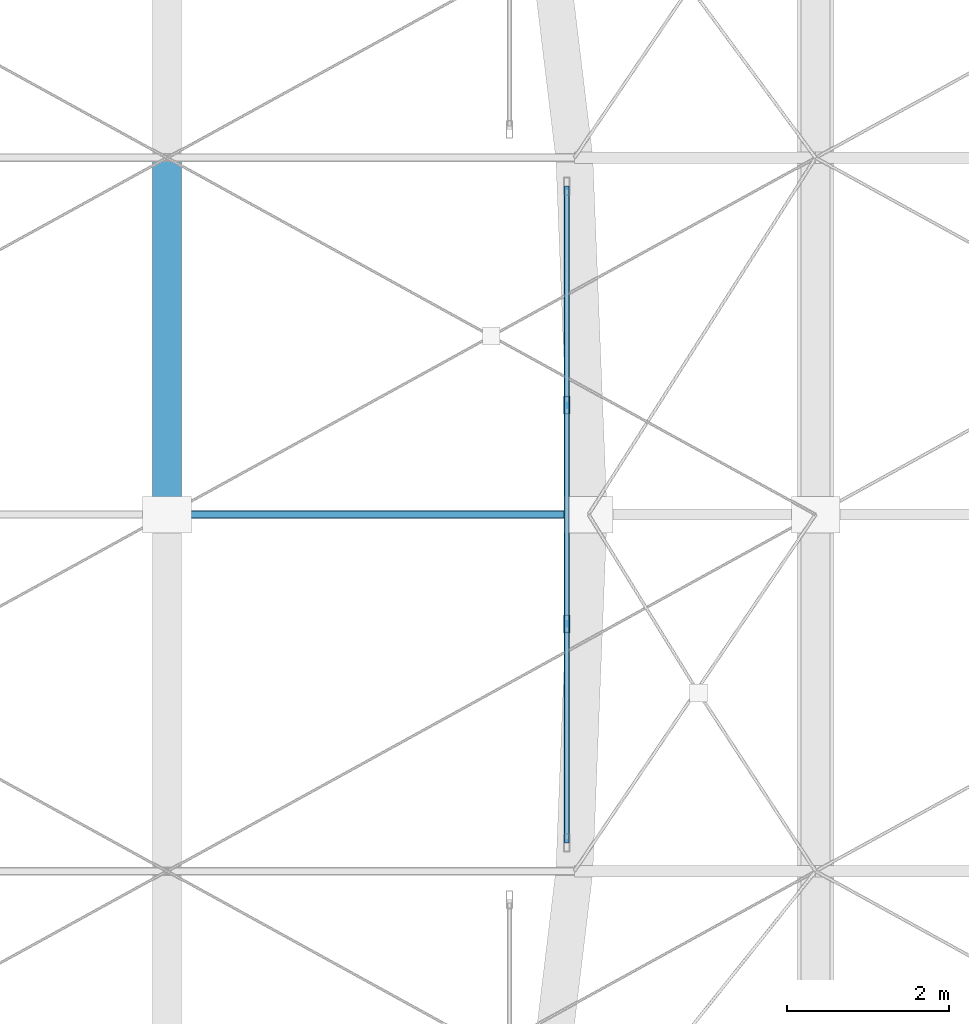
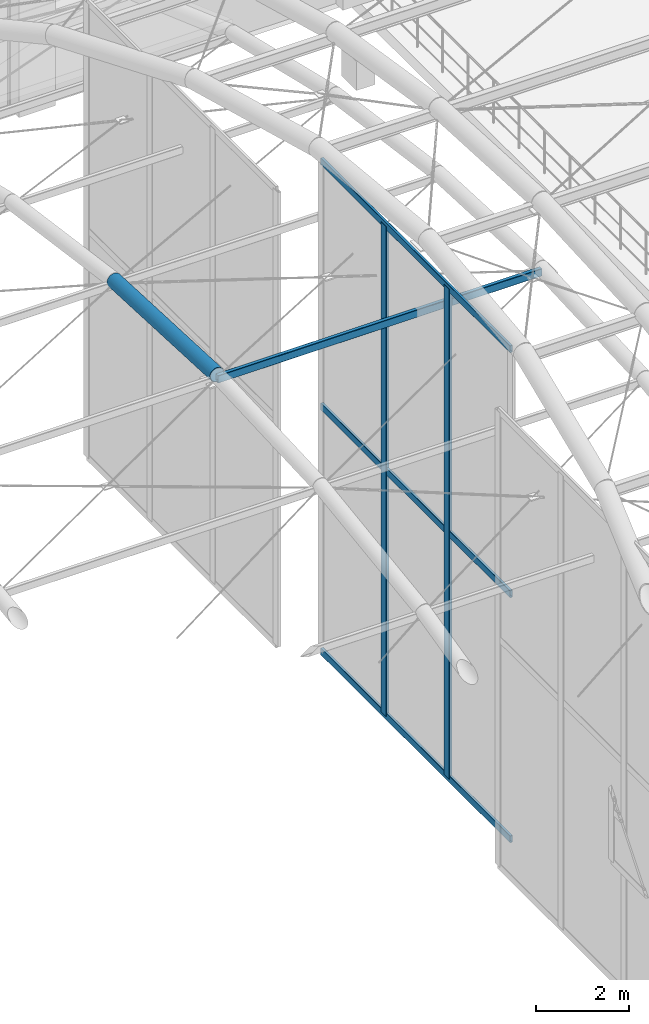
# One storey, part 26 of 163: 5 members, 2 beams, 1 element without a shape of its own.
"""IFC4 building model written with IfcOpenShell, lengths in metres."""

import ifcopenshell
import ifcopenshell.guid

model = None  # the IFC model being written
_history = None  # IfcOwnerHistory: only IFC2X3 demands one
_inside = {}  # id of a spatial element -> (the spatial element, [elements in it])
_under = {}  # id of a project, library or spatial element -> (it, [spatial elements below it])
_declared = {}  # id of a project -> (the project, [libraries it declares])
_typed = {}  # id of a type object -> (the type object, [elements of that type])
_made_of = {}  # id of a material, layer set ... -> (it, [elements and type objects made of it])


def new_model(schema):
    """Start an empty IFC model of exactly this schema.

    Asked for "IFC4X3", IfcOpenShell would pick the latest addendum, in which some entities
    have other attributes; the version numbers below select the first issue.
    IFC2X3 requires an IfcOwnerHistory on every rooted entity: one is made here for all.
    """
    global model, _history
    if schema == "IFC4X3":
        model = ifcopenshell.file(schema_version=(4, 3, 0, 0))
    else:
        model = ifcopenshell.file(schema=schema)
    _inside.clear()
    _under.clear()
    _declared.clear()
    _typed.clear()
    _made_of.clear()
    _history = None
    if model.schema == "IFC2X3":
        org = make("IfcOrganization", Name="unknown")
        user = make(
            "IfcPersonAndOrganization",
            ThePerson=make("IfcPerson", FamilyName="unknown"),
            TheOrganization=org,
        )
        app = make(
            "IfcApplication",
            ApplicationDeveloper=org,
            Version="unknown",
            ApplicationFullName="unknown",
            ApplicationIdentifier="unknown",
        )
        _history = make(
            "IfcOwnerHistory",
            OwningUser=user,
            OwningApplication=app,
            ChangeAction="ADDED",
            CreationDate=0,
        )
    return model


def make(cls, **values):
    """One entity of the class cls with the attributes given. An attribute that is None is left unset."""
    return model.create_entity(
        cls, **{name: value for name, value in values.items() if value is not None}
    )


def rooted(cls, **values):
    """An entity with a GlobalId (a new one), such as an element, a storey or a relation."""
    return make(cls, GlobalId=ifcopenshell.guid.new(), OwnerHistory=_history, **values)


def si_unit(unit_type, name, prefix=None):
    """IfcSIUnit, for example si_unit("LENGTHUNIT", "METRE", prefix="MILLI")."""
    return make("IfcSIUnit", UnitType=unit_type, Prefix=prefix, Name=name)


def assignment(units):
    """IfcUnitAssignment: the units of a project."""
    return None if units is None else make("IfcUnitAssignment", Units=units)


def point(xyz):
    """IfcCartesianPoint."""
    return None if xyz is None else make("IfcCartesianPoint", Coordinates=xyz)


def direction(xyz):
    """IfcDirection."""
    return None if xyz is None else make("IfcDirection", DirectionRatios=xyz)


def frame(location, z_axis=None, x_axis=None):
    """IfcAxis2Placement3D, a coordinate frame: its origin and axes. An axis left out is left unset."""
    return make(
        "IfcAxis2Placement3D",
        Location=point(location),
        Axis=direction(z_axis),
        RefDirection=direction(x_axis),
    )


def frame_2d(location, x_axis=None):
    """IfcAxis2Placement2D, a coordinate frame in the plane: its origin and x axis."""
    return make(
        "IfcAxis2Placement2D", Location=point(location), RefDirection=direction(x_axis)
    )


def origin():
    """The frame at (0, 0, 0) with its axes left unset."""
    return frame((0.0, 0.0, 0.0))


def origin_2d():
    """The frame at (0, 0) in the plane with its x axis left unset."""
    return frame_2d((0.0, 0.0))


def place(relative_to, where):
    """IfcLocalPlacement: puts the frame where relative to a parent placement (None: the world)."""
    return make(
        "IfcLocalPlacement", PlacementRelTo=relative_to, RelativePlacement=where
    )


def context(
    kind, dimensions, precision=None, world=None, true_north=None, identifier=None
):
    """IfcGeometricRepresentationContext, for example the 3D "Model" context."""
    return make(
        "IfcGeometricRepresentationContext",
        ContextIdentifier=identifier,
        ContextType=kind,
        CoordinateSpaceDimension=dimensions,
        Precision=precision,
        WorldCoordinateSystem=world,
        TrueNorth=true_north,
    )


def subcontext(parent, identifier, kind, view, scale=None):
    """IfcGeometricRepresentationSubContext, for example "Body" below "Model"."""
    return make(
        "IfcGeometricRepresentationSubContext",
        ContextIdentifier=identifier,
        ContextType=kind,
        ParentContext=parent,
        TargetScale=scale,
        TargetView=view,
    )


def project(units=None, contexts=None):
    """IfcProject with its units and contexts."""
    return rooted(
        "IfcProject",
        Name="project",
        RepresentationContexts=contexts,
        UnitsInContext=assignment(units),
    )


def spatial(cls, under=None, at=None, **own):
    """A site, building, storey or space (cls), placed at a placement, below another one or the project."""
    s = rooted(cls, ObjectPlacement=at, **own)
    if under is not None:
        _under.setdefault(under.id(), (under, []))[1].append(s)
    return s


def profile(cls, at=None, kind="AREA", **sizes):
    """A parametric profile (cls). Its sizes go by their IFC names, for example OverallWidth=200.0."""
    return make(cls, ProfileType=kind, Position=at, **sizes)


def hollow_rectangle(**sizes):
    """IfcRectangleHollowProfileDef."""
    return profile("IfcRectangleHollowProfileDef", **sizes)


def hollow_circle(**sizes):
    """IfcCircleHollowProfileDef."""
    return profile("IfcCircleHollowProfileDef", **sizes)


def extrude(swept, where, along, depth):
    """IfcExtrudedAreaSolid: the profile swept, set in the frame where, extruded along a direction by depth."""
    return make(
        "IfcExtrudedAreaSolid",
        SweptArea=swept,
        Position=where,
        ExtrudedDirection=direction(along),
        Depth=depth,
    )


def shape(context_of_items, identifier, shape_type, items):
    """IfcShapeRepresentation: the items that make up one representation, for example the "Body"."""
    return make(
        "IfcShapeRepresentation",
        ContextOfItems=context_of_items,
        RepresentationIdentifier=identifier,
        RepresentationType=shape_type,
        Items=items,
    )


def material(Name=None, Category=None):
    """IfcMaterial."""
    return make("IfcMaterial", Name=Name, Category=Category)


def material_profile(
    of_material, cross_section, Name=None, Category=None, Priority=None
):
    """IfcMaterialProfile: a cross section and its material."""
    return make(
        "IfcMaterialProfile",
        Name=Name,
        Material=of_material,
        Profile=cross_section,
        Priority=Priority,
        Category=Category,
    )


def profile_set(profiles, Name=None, composite=None):
    """IfcMaterialProfileSet."""
    return make(
        "IfcMaterialProfileSet",
        Name=Name,
        MaterialProfiles=profiles,
        CompositeProfile=composite,
    )


def made_of(thing, what):
    """Note that an element or type object is made of a material, layer set ...; save() writes the relation."""
    if what is not None:
        _made_of.setdefault(what.id(), (what, []))[1].append(thing)
    return thing


def type_object(cls, material=None, **own):
    """A type object (cls), such as IfcWallType, which elements share."""
    return made_of(rooted(cls, **own), material)


def element(
    cls,
    number,
    at=None,
    inside=None,
    cuts=None,
    type_object=None,
    material=None,
    context=None,
    identifier="Body",
    shape_type=None,
    held_by="IfcProductDefinitionShape",
    body=None,
    shapes=None,
    **own,
):
    """One element of the class cls, such as IfcWall. Its Tag is "e" and its number.

    at: its placement. inside: the storey or other place that contains it. cuts: it is an
    opening in that element (IfcRelVoidsElement). A single representation is given by context,
    identifier, shape_type and body (its items); several are given by shapes. held_by: the class
    of the entity that holds the representations. save() writes the other relations.
    """
    e = rooted(cls, Tag="e%d" % number, ObjectPlacement=at, **own)
    if body is not None:
        shapes = [shape(context, identifier, shape_type, body)]
    if shapes is not None:
        e.Representation = make(held_by, Representations=shapes)
    if inside is not None:
        _inside.setdefault(inside.id(), (inside, []))[1].append(e)
    if cuts is not None:
        rooted(
            "IfcRelVoidsElement", RelatingBuildingElement=cuts, RelatedOpeningElement=e
        )
    if type_object is not None:
        _typed.setdefault(type_object.id(), (type_object, []))[1].append(e)
    return made_of(e, material)


def aggregate(whole, parts):
    """IfcRelAggregates: a whole, such as a stair, and the parts it consists of."""
    return rooted("IfcRelAggregates", RelatingObject=whole, RelatedObjects=parts)


def save(model, path):
    """Write the relations noted so far, then the file.

    IfcRelAggregates (storeys below a building ...), IfcRelContainedInSpatialStructure (elements
    in a storey), IfcRelDefinesByType, IfcRelAssociatesMaterial and IfcRelDeclares: one each for
    every whole, place, type object, material and project.
    """
    for whole, parts in _under.values():
        aggregate(whole, parts)
    for where, things in _inside.values():
        rooted(
            "IfcRelContainedInSpatialStructure",
            RelatedElements=things,
            RelatingStructure=where,
        )
    for kind, things in _typed.values():
        rooted("IfcRelDefinesByType", RelatedObjects=things, RelatingType=kind)
    for what, things in _made_of.values():
        rooted("IfcRelAssociatesMaterial", RelatedObjects=things, RelatingMaterial=what)
    for by, libraries in _declared.values():
        rooted("IfcRelDeclares", RelatingContext=by, RelatedDefinitions=libraries)
    model.write(path)


model = new_model("IFC4")

# Units and contexts
model_context = context("Model", 3, precision=1e-05, world=origin(), true_north=direction((0.0, 1.0)))
body_context = subcontext(model_context, "Body", "Model", "MODEL_VIEW")
ifc_project = project(units=[si_unit("LENGTHUNIT", "METRE"), si_unit("AREAUNIT", "SQUARE_METRE"), si_unit("VOLUMEUNIT", "CUBIC_METRE"), si_unit("PLANEANGLEUNIT", "RADIAN"), si_unit("MASSUNIT", "GRAM", prefix="KILO")], contexts=[model_context])

# Site, building, storey
site_placement = place(None, origin())
site = spatial("IfcSite", under=ifc_project, at=site_placement, CompositionType="ELEMENT")
building_placement = place(site_placement, origin())
building = spatial("IfcBuilding", under=site, at=building_placement, Name="Varnabhumi Central Station", CompositionType="ELEMENT")
storey_placement = place(building_placement, frame((0.0, 0.0, 9.60009765625)))
storey = spatial("IfcBuildingStorey", under=building, at=storey_placement, Name="L02", CompositionType="ELEMENT", Elevation=9.60009765625)

# Beams
ifc_material_1 = material(Name="Structural steel E350", Category="steel")
ifc_material_profile_1 = material_profile(ifc_material_1, hollow_circle(Radius=0.177734375, WallThickness=0.012451171875, at=origin_2d()), Name="Structural steel E350", Category="steel")
ifc_profile_set_1 = profile_set([ifc_material_profile_1], Name="Structural steel E350")
beam_type_1 = type_object("IfcBeamType", Name="BM-ARCH-CHS355", PredefinedType="BEAM", material=ifc_profile_set_1)
beam_1_placement = place(storey_placement, frame((40.0, 58.0, 9.0), z_axis=(0.0, 0.998941160779, -0.046006057233), x_axis=(-1.0, 0.0, 0.0)))
element("IfcBeam", 1, at=beam_1_placement, inside=storey, type_object=beam_type_1, Name="Entrance Portico Vault Arch Rib 4 Seg 6", PredefinedType="BEAM", context=body_context, shape_type="SweptSolid", body=[
    extrude(hollow_circle(Radius=0.177734375, WallThickness=0.012451171875, at=origin_2d()), origin(), (0.0, 0.0, 1.0), 4.404541015625),
])
ifc_material_profile_2 = material_profile(ifc_material_1, hollow_rectangle(XDim=0.10009765625, YDim=0.199951171875, WallThickness=0.008056640625, InnerFilletRadius=0.008056640625, OuterFilletRadius=0.01611328125, at=origin_2d()), Name="Structural steel E350", Category="steel")
ifc_profile_set_2 = profile_set([ifc_material_profile_2], Name="Structural steel E350")
beam_type_2 = type_object("IfcBeamType", Name="BM-PUR-RHS200", PredefinedType="JOIST", material=ifc_profile_set_2)
beam_2_placement = place(storey_placement, frame((40.0, 58.0, 8.89990234375), z_axis=(1.0, 0.0, 0.0), x_axis=(0.0, 1.0, 0.0)))
element("IfcBeam", 2, at=beam_2_placement, inside=storey, type_object=beam_type_2, Name="Entrance Portico Vault Purlin B4-L5", PredefinedType="JOIST", context=body_context, shape_type="SweptSolid", body=[
    extrude(hollow_rectangle(XDim=0.10009765625, YDim=0.199951171875, WallThickness=0.008056640625, InnerFilletRadius=0.008056640625, OuterFilletRadius=0.01611328125, at=origin_2d()), origin(), (0.0, 0.0, 1.0), 8.0),
])

# Curtain wall, members
ifc_material_2 = material(Name="Anodised aluminium 6063-T6", Category="aluminium")
curtain_wall_type = type_object("IfcCurtainWallType", Name="CW-VAULT-ARCH-V3", PredefinedType="NOTDEFINED", material=ifc_material_2)
curtain_wall_placement = place(storey_placement, origin())
curtain_wall = element("IfcCurtainWall", 3, at=curtain_wall_placement, inside=storey, type_object=curtain_wall_type, Name="Curtain Wall CW-V33", PredefinedType="NOTDEFINED")
ifc_material_profile_3 = material_profile(ifc_material_2, hollow_rectangle(XDim=0.074951171875, YDim=0.219970703125, WallThickness=0.0048828125, InnerFilletRadius=0.0009765625, OuterFilletRadius=0.006103515625, at=origin_2d()), Name="Anodised aluminium 6063-T6", Category="aluminium")
ifc_profile_set_3 = profile_set([ifc_material_profile_3], Name="Anodised aluminium 6063-T6")
member_type_1 = type_object("IfcMemberType", Name="CW-MUL-220", PredefinedType="MULLION", material=ifc_profile_set_3)
member_1_placement = place(storey_placement, frame((44.931884765625, 56.64990234375, -2.400146484375), z_axis=(0.0, 0.0, 1.0), x_axis=(1.0, 0.0, 0.0)))
member_1 = element("IfcMember", 4, at=member_1_placement, type_object=member_type_1, Name="Curtain Wall Mullion CW-V33-M2", PredefinedType="MULLION", context=body_context, shape_type="SweptSolid", body=[
    extrude(hollow_rectangle(XDim=0.074951171875, YDim=0.219970703125, WallThickness=0.0048828125, InnerFilletRadius=0.0009765625, OuterFilletRadius=0.006103515625, at=origin_2d()), origin(), (0.0, 0.0, 1.0), 12.800048828125),
])
member_2_placement = place(storey_placement, frame((44.931884765625, 59.35009765625, -2.400146484375), z_axis=(0.0, 0.0, 1.0), x_axis=(1.0, 0.0, 0.0)))
member_2 = element("IfcMember", 5, at=member_2_placement, type_object=member_type_1, Name="Curtain Wall Mullion CW-V33-M3", PredefinedType="MULLION", context=body_context, shape_type="SweptSolid", body=[
    extrude(hollow_rectangle(XDim=0.074951171875, YDim=0.219970703125, WallThickness=0.0048828125, InnerFilletRadius=0.0009765625, OuterFilletRadius=0.006103515625, at=origin_2d()), origin(), (0.0, 0.0, 1.0), 12.800048828125),
])
ifc_material_profile_4 = material_profile(ifc_material_2, hollow_rectangle(XDim=0.06494140625, YDim=0.179931640625, WallThickness=0.00390625, InnerFilletRadius=0.001953125, OuterFilletRadius=0.006103515625, at=origin_2d()), Name="Anodised aluminium 6063-T6", Category="aluminium")
ifc_profile_set_4 = profile_set([ifc_material_profile_4], Name="Anodised aluminium 6063-T6")
member_type_2 = type_object("IfcMemberType", Name="CW-TR-180", PredefinedType="USERDEFINED", material=ifc_profile_set_4)
member_3_placement = place(storey_placement, frame((44.931884765625, 53.949951171875, -2.400146484375), z_axis=(0.0, 1.0, 0.0), x_axis=(-1.0, 0.0, 0.0)))
member_3 = element("IfcMember", 6, at=member_3_placement, type_object=member_type_2, Name="Curtain Wall Transom CW-V33-T1", ObjectType="TRANSOM", PredefinedType="USERDEFINED", context=body_context, shape_type="SweptSolid", body=[
    extrude(hollow_rectangle(XDim=0.06494140625, YDim=0.179931640625, WallThickness=0.00390625, InnerFilletRadius=0.001953125, OuterFilletRadius=0.006103515625, at=origin_2d()), origin(), (0.0, 0.0, 1.0), 8.10009765625),
])
member_4_placement = place(storey_placement, frame((44.931884765625, 53.949951171875, 4.0), z_axis=(0.0, 1.0, 0.0), x_axis=(-1.0, 0.0, 0.0)))
member_4 = element("IfcMember", 7, at=member_4_placement, type_object=member_type_2, Name="Curtain Wall Transom CW-V33-T2", ObjectType="TRANSOM", PredefinedType="USERDEFINED", context=body_context, shape_type="SweptSolid", body=[
    extrude(hollow_rectangle(XDim=0.06494140625, YDim=0.179931640625, WallThickness=0.00390625, InnerFilletRadius=0.001953125, OuterFilletRadius=0.006103515625, at=origin_2d()), origin(), (0.0, 0.0, 1.0), 8.10009765625),
])
member_5_placement = place(storey_placement, frame((44.931884765625, 53.949951171875, 10.39990234375), z_axis=(0.0, 1.0, 0.0), x_axis=(-1.0, 0.0, 0.0)))
member_5 = element("IfcMember", 8, at=member_5_placement, type_object=member_type_2, Name="Curtain Wall Transom CW-V33-T3", ObjectType="TRANSOM", PredefinedType="USERDEFINED", context=body_context, shape_type="SweptSolid", body=[
    extrude(hollow_rectangle(XDim=0.06494140625, YDim=0.179931640625, WallThickness=0.00390625, InnerFilletRadius=0.001953125, OuterFilletRadius=0.006103515625, at=origin_2d()), origin(), (0.0, 0.0, 1.0), 8.10009765625),
])
aggregate(curtain_wall, [member_1, member_2, member_3, member_4, member_5])

save(model, "model.ifc")
